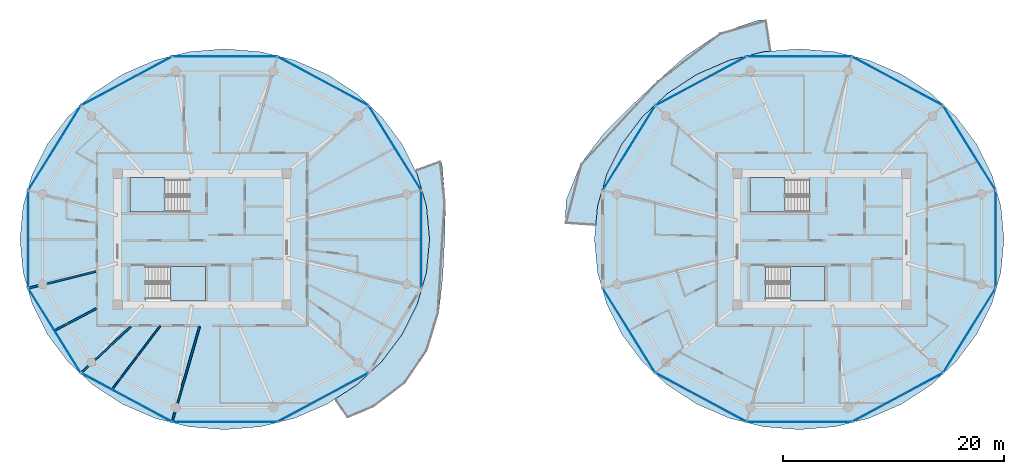
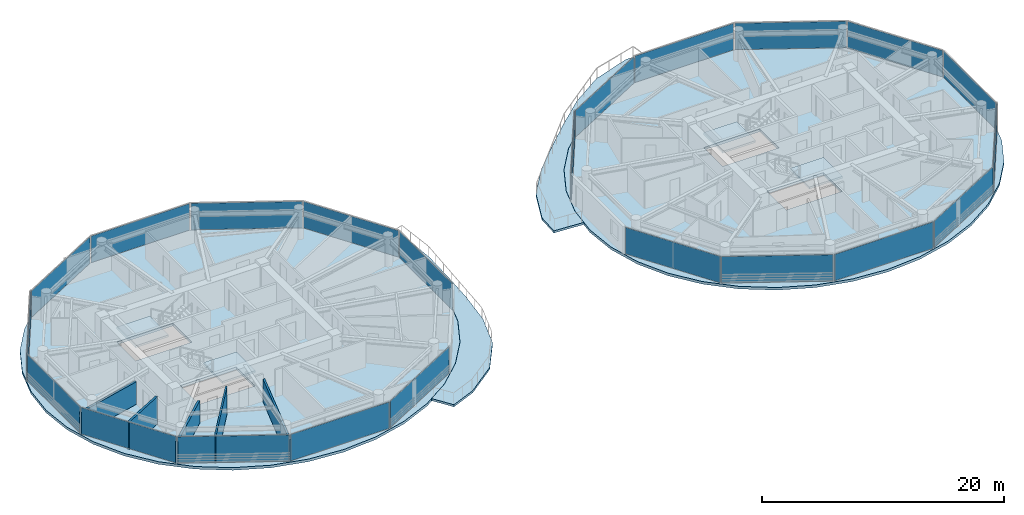
# One storey, part 12 of 22: 22 plates, 8 slabs, 5 walls, 26 elements without a shape of their own.
"""IFC4 building model written with IfcOpenShell, lengths in metres."""

from ifc_helpers import new_model, si_unit, direction, frame, frame_2d, origin, origin_2d, place, context, subcontext, project, spatial, polyline, rectangle, outline, extrude, source, transform, mapped, material, layer, layer_set, type_object, type_shapes, element, aggregate, save


model = new_model("IFC4")

# Units and contexts
model_context = context("Model", 3, precision=1e-05, world=origin(), true_north=direction((0.0, 1.0)))
body_context = subcontext(model_context, "Body", "Model", "MODEL_VIEW")
ifc_project = project(units=[si_unit("LENGTHUNIT", "METRE"), si_unit("AREAUNIT", "SQUARE_METRE"), si_unit("VOLUMEUNIT", "CUBIC_METRE"), si_unit("PLANEANGLEUNIT", "RADIAN"), si_unit("MASSUNIT", "GRAM", prefix="KILO")], contexts=[model_context])

# Site, building, storey
site_placement = place(None, origin())
site = spatial("IfcSite", under=ifc_project, at=site_placement, CompositionType="ELEMENT")
building_placement = place(site_placement, origin())
building = spatial("IfcBuilding", under=site, at=building_placement, Name="Norrkilde Senior Care Towers", CompositionType="ELEMENT")
storey_placement = place(building_placement, frame((0.0, 0.0, 120.64990234375)))
storey = spatial("IfcBuildingStorey", under=building, at=storey_placement, Name="L37", CompositionType="ELEMENT", Elevation=120.64990234375)

# Slabs
ifc_material_1 = material(Name="Concrete C50/60", Category="concrete")
ifc_layer_1 = layer(ifc_material_1, 0.215087890625)
ifc_layer_set_1 = layer_set([ifc_layer_1], Name="Concrete C50/60")
slab_type_1 = type_object("IfcSlabType", Name="Sinusoidal Balcony Ribbon Slab 215", PredefinedType="FLOOR", material=ifc_layer_set_1)
slab_1_placement = place(storey_placement, frame((0.0, 0.0, -0.21484375)))
element("IfcSlab", 1, at=slab_1_placement, inside=storey, type_object=slab_type_1, Name="L37 Drum W Swirling Senior Balcony 1", PredefinedType="FLOOR", context=body_context, shape_type="SweptSolid", body=[
    extrude(outline(polyline([(-7.634033203125, -10.02490234375), (-9.630859375, -12.993896484375), (-12.498779296875, -15.17529296875), (-14.865234375, -16.163330078125), (-16.02978515625, -14.46533203125), (-14.05517578125, -13.1796875), (-11.7744140625, -11.05908203125), (-9.92431640625, -8.6025390625), (-8.56103515625, -5.884521484375), (-7.72607421875, -2.987548828125), (-7.445068359375, 0.0), (-7.72607421875, 2.987548828125), (-8.56103515625, 5.884521484375), (-8.74609375, 6.253662109375), (-6.433349609375, 7.09423828125), (-6.316650390625, 6.76318359375), (-6.000732421875, 3.31494140625), (-6.0830078125, 0.0), (-6.2431640625, -3.268798828125), (-6.612060546875, -6.6474609375), (-7.634033203125, -10.02490234375)])), origin(), (0.0, 0.0, 1.0), 0.21484375),
])
slab_2_placement = place(storey_placement, frame((0.0, 0.0, -0.21484375)))
element("IfcSlab", 2, at=slab_2_placement, inside=storey, type_object=slab_type_1, Name="L37 Drum E Swirling Senior Balcony 1", PredefinedType="FLOOR", context=body_context, shape_type="SweptSolid", body=[
    extrude(outline(polyline([(6.20458984375, 6.80712890625), (8.32666015625, 9.5947265625), (10.734130859375, 11.998291015625), (13.17236328125, 14.31201171875), (15.771240234375, 16.6259765625), (18.78857421875, 18.62744140625), (22.268310546875, 19.800048828125), (23.010009765625, 19.808837890625), (23.427001953125, 16.999755859375), (22.736572265625, 16.943603515625), (19.620849609375, 16.16748046875), (16.697509765625, 14.89990234375), (14.05517578125, 13.1796875), (11.7744140625, 11.05908203125), (9.92431640625, 8.6025390625), (8.56103515625, 5.884521484375), (7.72607421875, 2.987548828125), (7.5595703125, 1.2177734375), (4.8046875, 1.400146484375), (4.88916015625, 3.525634765625), (6.20458984375, 6.80712890625)])), origin(), (0.0, 0.0, 1.0), 0.21484375),
])

# Stair, slab
ifc_material_2 = material(Name="Concrete C45/55", Category="concrete")
stair_type = type_object("IfcStairType", Name="Core Protected Dogleg Stair Typical 3050", PredefinedType="HALF_TURN_STAIR", material=ifc_material_2)
stair_1_placement = place(storey_placement, origin())
stair_1 = element("IfcStair", 3, at=stair_1_placement, inside=storey, type_object=stair_type, Name="L37 Protected Core Stair W1", PredefinedType="HALF_TURN_STAIR")
ifc_layer_2 = layer(ifc_material_2, 0.199951171875)
ifc_layer_set_2 = layer_set([ifc_layer_2], Name="Concrete C45/55")
slab_type_2 = type_object("IfcSlabType", Name="Stair Landing Slab 200", PredefinedType="LANDING", material=ifc_layer_set_2)
slab_3_placement = place(storey_placement, frame((0.0, 0.0, 1.3251953125)))
slab_3 = element("IfcSlab", 4, at=slab_3_placement, type_object=slab_type_2, Name="ST-W1 landing 1", PredefinedType="LANDING", context=body_context, shape_type="SweptSolid", body=[
    extrude(outline(polyline([(-31.340087890625, 5.590087890625), (-34.5, 5.590087890625), (-34.5, 2.449951171875), (-31.340087890625, 2.449951171875), (-31.340087890625, 5.590087890625)])), origin(), (0.0, 0.0, 1.0), 0.199951171875),
])
aggregate(stair_1, [slab_3])

stair_2_placement = place(storey_placement, origin())
stair_2 = element("IfcStair", 5, at=stair_2_placement, inside=storey, type_object=stair_type, Name="L37 Protected Core Stair W2", PredefinedType="HALF_TURN_STAIR")
slab_4_placement = place(storey_placement, frame((0.0, 0.0, 1.3251953125)))
slab_4 = element("IfcSlab", 6, at=slab_4_placement, type_object=slab_type_2, Name="ST-W2 landing 1", PredefinedType="LANDING", context=body_context, shape_type="SweptSolid", body=[
    extrude(outline(polyline([(-30.860107421875, -5.590087890625), (-27.699951171875, -5.590087890625), (-27.699951171875, -2.449951171875), (-30.860107421875, -2.449951171875), (-30.860107421875, -5.590087890625)])), origin(), (0.0, 0.0, 1.0), 0.199951171875),
])
aggregate(stair_2, [slab_4])

stair_3_placement = place(storey_placement, origin())
stair_3 = element("IfcStair", 7, at=stair_3_placement, inside=storey, type_object=stair_type, Name="L37 Protected Core Stair E1", PredefinedType="HALF_TURN_STAIR")
slab_5_placement = place(storey_placement, frame((0.0, 0.0, 1.3251953125)))
slab_5 = element("IfcSlab", 8, at=slab_5_placement, type_object=slab_type_2, Name="ST-E1 landing 1", PredefinedType="LANDING", context=body_context, shape_type="SweptSolid", body=[
    extrude(outline(polyline([(24.659912109375, 5.590087890625), (21.5, 5.590087890625), (21.5, 2.449951171875), (24.659912109375, 2.449951171875), (24.659912109375, 5.590087890625)])), origin(), (0.0, 0.0, 1.0), 0.199951171875),
])
aggregate(stair_3, [slab_5])

stair_4_placement = place(storey_placement, origin())
stair_4 = element("IfcStair", 9, at=stair_4_placement, inside=storey, type_object=stair_type, Name="L37 Protected Core Stair E2", PredefinedType="HALF_TURN_STAIR")
slab_6_placement = place(storey_placement, frame((0.0, 0.0, 1.3251953125)))
slab_6 = element("IfcSlab", 10, at=slab_6_placement, type_object=slab_type_2, Name="ST-E2 landing 1", PredefinedType="LANDING", context=body_context, shape_type="SweptSolid", body=[
    extrude(outline(polyline([(25.139892578125, -5.590087890625), (28.300048828125, -5.590087890625), (28.300048828125, -2.449951171875), (25.139892578125, -2.449951171875), (25.139892578125, -5.590087890625)])), origin(), (0.0, 0.0, 1.0), 0.199951171875),
])
aggregate(stair_4, [slab_6])

# Slabs
ifc_layer_3 = layer(ifc_material_1, 0.260009765625)
ifc_layer_set_3 = layer_set([ifc_layer_3], Name="Concrete C50/60")
slab_type_3 = type_object("IfcSlabType", Name="Tower Care Floor Slab 260", PredefinedType="FLOOR", material=ifc_layer_set_3)
slab_7_placement = place(storey_placement, frame((0.0, 0.0, -0.260009765625)))
element("IfcSlab", 11, at=slab_7_placement, inside=storey, type_object=slab_type_3, Name="L37 Drum W Structural Floor Slab", PredefinedType="FLOOR", context=body_context, shape_type="SweptSolid", body=[
    extrude(outline(polyline([(-8.565673828125, -5.8828125), (-9.928466796875, -8.60009765625), (-11.778076171875, -11.055908203125), (-14.058349609375, -13.176025390625), (-16.699951171875, -14.895751953125), (-19.62255859375, -16.16259765625), (-22.737548828125, -16.938720703125), (-25.949951171875, -17.199951171875), (-29.16259765625, -16.938720703125), (-32.27734375, -16.16259765625), (-35.199951171875, -14.895751953125), (-37.841552734375, -13.176025390625), (-40.121826171875, -11.055908203125), (-41.971435546875, -8.60009765625), (-43.334228515625, -5.8828125), (-44.1689453125, -2.98681640625), (-44.449951171875, 0.0), (-44.1689453125, 2.98681640625), (-43.334228515625, 5.8828125), (-41.971435546875, 8.60009765625), (-40.121826171875, 11.055908203125), (-37.841552734375, 13.176025390625), (-35.199951171875, 14.895751953125), (-32.27734375, 16.16259765625), (-29.16259765625, 16.938720703125), (-25.949951171875, 17.199951171875), (-22.737548828125, 16.938720703125), (-19.62255859375, 16.16259765625), (-16.699951171875, 14.895751953125), (-14.058349609375, 13.176025390625), (-11.778076171875, 11.055908203125), (-9.928466796875, 8.60009765625), (-8.565673828125, 5.8828125), (-7.73095703125, 2.98681640625), (-7.449951171875, 0.0), (-7.73095703125, -2.98681640625), (-8.565673828125, -5.8828125)]), holes=[polyline([(-34.48193359375, 2.468017578125), (-29.117919921875, 2.468017578125), (-29.117919921875, 5.590087890625), (-34.48193359375, 5.590087890625), (-34.48193359375, 2.468017578125)]), polyline([(-27.718017578125, -5.590087890625), (-27.718017578125, -2.468017578125), (-33.08203125, -2.468017578125), (-33.08203125, -5.590087890625), (-27.718017578125, -5.590087890625)])]), origin(), (0.0, 0.0, 1.0), 0.260009765625),
])
slab_8_placement = place(storey_placement, frame((0.0, 0.0, -0.260009765625)))
element("IfcSlab", 12, at=slab_8_placement, inside=storey, type_object=slab_type_3, Name="L37 Drum E Structural Floor Slab", PredefinedType="FLOOR", context=body_context, shape_type="SweptSolid", body=[
    extrude(outline(polyline([(43.334228515625, -5.8828125), (41.971435546875, -8.60009765625), (40.121826171875, -11.055908203125), (37.841552734375, -13.176025390625), (35.199951171875, -14.895751953125), (32.27734375, -16.16259765625), (29.16259765625, -16.938720703125), (25.949951171875, -17.199951171875), (22.737548828125, -16.938720703125), (19.62255859375, -16.16259765625), (16.699951171875, -14.895751953125), (14.058349609375, -13.176025390625), (11.778076171875, -11.055908203125), (9.928466796875, -8.60009765625), (8.565673828125, -5.8828125), (7.73095703125, -2.98681640625), (7.449951171875, 0.0), (7.73095703125, 2.98681640625), (8.565673828125, 5.8828125), (9.928466796875, 8.60009765625), (11.778076171875, 11.055908203125), (14.058349609375, 13.176025390625), (16.699951171875, 14.895751953125), (19.62255859375, 16.16259765625), (22.737548828125, 16.938720703125), (25.949951171875, 17.199951171875), (29.16259765625, 16.938720703125), (32.27734375, 16.16259765625), (35.199951171875, 14.895751953125), (37.841552734375, 13.176025390625), (40.121826171875, 11.055908203125), (41.971435546875, 8.60009765625), (43.334228515625, 5.8828125), (44.1689453125, 2.98681640625), (44.449951171875, 0.0), (44.1689453125, -2.98681640625), (43.334228515625, -5.8828125)]), holes=[polyline([(21.51806640625, 2.468017578125), (26.882080078125, 2.468017578125), (26.882080078125, 5.590087890625), (21.51806640625, 5.590087890625), (21.51806640625, 2.468017578125)]), polyline([(28.281982421875, -5.590087890625), (28.281982421875, -2.468017578125), (22.91796875, -2.468017578125), (22.91796875, -5.590087890625), (28.281982421875, -5.590087890625)])]), origin(), (0.0, 0.0, 1.0), 0.260009765625),
])

# Curtain wall, plate
ifc_material_3 = material(Name="Triple Low-E Insulated Glazing", Category="glass")
ifc_layer_4 = layer(ifc_material_3, 0.195068359375)
ifc_layer_set_4 = layer_set([ifc_layer_4], Name="Triple Low-E Insulated Glazing")
curtain_wall_type = type_object("IfcCurtainWallType", Name="CW3 Zone 2 Assisted Living Curtain Wall", PredefinedType="NOTDEFINED", material=ifc_layer_set_4)
curtain_wall_1_placement = place(storey_placement, origin())
curtain_wall_1 = element("IfcCurtainWall", 13, at=curtain_wall_1_placement, inside=storey, type_object=curtain_wall_type, Name="L37 Drum W Curtain Wall 00", PredefinedType="NOTDEFINED")
ifc_layer_5 = layer(ifc_material_3, 0.035888671875)
ifc_layer_set_5 = layer_set([ifc_layer_5], Name="Triple Low-E Insulated Glazing")
plate_type = type_object("IfcPlateType", Name="Triple Low-E Vision Curtain Panel 36", PredefinedType="CURTAIN_PANEL", material=ifc_layer_set_5)
shared_shape_1 = source(origin(), body_context, "Body", "SweptSolid", [
    extrude(rectangle(XDim=8.88427734375, YDim=0.035888671875, at=origin_2d()), origin(), (0.0, 0.0, 1.0), 2.669921875),
])
plate_1_placement = place(storey_placement, frame((-10.574951171875, 8.2490234375, 0.06005859375), z_axis=(0.0, 0.0, 1.0), x_axis=(0.527733228002, -0.849410171862, 0.0)))
plate_1 = element("IfcPlate", 14, at=plate_1_placement, type_object=plate_type, Name="CW-3 panel 1.1", PredefinedType="CURTAIN_PANEL", context=body_context, shape_type="MappedRepresentation", body=[
    mapped(shared_shape_1, transform((0.0, 0.0, 0.0), x_axis=(1.0, 0.0, 0.0), y_axis=(0.0, 1.0, 0.0), z_axis=(0.0, 0.0, 1.0), scale=1.0)),
])
aggregate(curtain_wall_1, [plate_1])

curtain_wall_2_placement = place(storey_placement, origin())
curtain_wall_2 = element("IfcCurtainWall", 15, at=curtain_wall_2_placement, inside=storey, type_object=curtain_wall_type, Name="L37 Drum W Curtain Wall 04", PredefinedType="NOTDEFINED")
plate_2_placement = place(storey_placement, frame((-41.3251953125, 8.2490234375, 0.06005859375), z_axis=(0.0, 0.0, 1.0), x_axis=(0.527733228002, 0.849410171862, 0.0)))
plate_2 = element("IfcPlate", 16, at=plate_2_placement, type_object=plate_type, Name="CW-3 panel 1.1", PredefinedType="CURTAIN_PANEL", context=body_context, shape_type="MappedRepresentation", body=[
    mapped(shared_shape_1, transform((0.0, 0.0, 0.0), x_axis=(1.0, 0.0, 0.0), y_axis=(0.0, 1.0, 0.0), z_axis=(0.0, 0.0, 1.0), scale=1.0)),
])
aggregate(curtain_wall_2, [plate_2])

curtain_wall_3_placement = place(storey_placement, origin())
curtain_wall_3 = element("IfcCurtainWall", 17, at=curtain_wall_3_placement, inside=storey, type_object=curtain_wall_type, Name="L37 Drum W Curtain Wall 06", PredefinedType="NOTDEFINED")
plate_3_placement = place(storey_placement, frame((-41.3251953125, -8.2490234375, 0.06005859375), z_axis=(0.0, 0.0, 1.0), x_axis=(-0.527733228002, 0.849410171862, 0.0)))
plate_3 = element("IfcPlate", 18, at=plate_3_placement, type_object=plate_type, Name="CW-3 panel 1.1", PredefinedType="CURTAIN_PANEL", context=body_context, shape_type="MappedRepresentation", body=[
    mapped(shared_shape_1, transform((0.0, 0.0, 0.0), x_axis=(1.0, 0.0, 0.0), y_axis=(0.0, 1.0, 0.0), z_axis=(0.0, 0.0, 1.0), scale=1.0)),
])
aggregate(curtain_wall_3, [plate_3])

curtain_wall_4_placement = place(storey_placement, origin())
curtain_wall_4 = element("IfcCurtainWall", 19, at=curtain_wall_4_placement, inside=storey, type_object=curtain_wall_type, Name="L37 Drum E Curtain Wall 00", PredefinedType="NOTDEFINED")
plate_4_placement = place(storey_placement, frame((41.3251953125, 8.2490234375, 0.06005859375), z_axis=(0.0, 0.0, 1.0), x_axis=(0.527733228002, -0.849410171862, 0.0)))
plate_4 = element("IfcPlate", 20, at=plate_4_placement, type_object=plate_type, Name="CW-3 panel 1.1", PredefinedType="CURTAIN_PANEL", context=body_context, shape_type="MappedRepresentation", body=[
    mapped(shared_shape_1, transform((0.0, 0.0, 0.0), x_axis=(1.0, 0.0, 0.0), y_axis=(0.0, 1.0, 0.0), z_axis=(0.0, 0.0, 1.0), scale=1.0)),
])
aggregate(curtain_wall_4, [plate_4])

curtain_wall_5_placement = place(storey_placement, origin())
curtain_wall_5 = element("IfcCurtainWall", 21, at=curtain_wall_5_placement, inside=storey, type_object=curtain_wall_type, Name="L37 Drum E Curtain Wall 04", PredefinedType="NOTDEFINED")
plate_5_placement = place(storey_placement, frame((10.574951171875, 8.2490234375, 0.06005859375), z_axis=(0.0, 0.0, 1.0), x_axis=(0.527733228002, 0.849410171862, 0.0)))
plate_5 = element("IfcPlate", 22, at=plate_5_placement, type_object=plate_type, Name="CW-3 panel 1.1", PredefinedType="CURTAIN_PANEL", context=body_context, shape_type="MappedRepresentation", body=[
    mapped(shared_shape_1, transform((0.0, 0.0, 0.0), x_axis=(1.0, 0.0, 0.0), y_axis=(0.0, 1.0, 0.0), z_axis=(0.0, 0.0, 1.0), scale=1.0)),
])
aggregate(curtain_wall_5, [plate_5])

curtain_wall_6_placement = place(storey_placement, origin())
curtain_wall_6 = element("IfcCurtainWall", 23, at=curtain_wall_6_placement, inside=storey, type_object=curtain_wall_type, Name="L37 Drum E Curtain Wall 06", PredefinedType="NOTDEFINED")
plate_6_placement = place(storey_placement, frame((10.574951171875, -8.2490234375, 0.06005859375), z_axis=(0.0, 0.0, 1.0), x_axis=(-0.527733228002, 0.849410171862, 0.0)))
plate_6 = element("IfcPlate", 24, at=plate_6_placement, type_object=plate_type, Name="CW-3 panel 1.1", PredefinedType="CURTAIN_PANEL", context=body_context, shape_type="MappedRepresentation", body=[
    mapped(shared_shape_1, transform((0.0, 0.0, 0.0), x_axis=(1.0, 0.0, 0.0), y_axis=(0.0, 1.0, 0.0), z_axis=(0.0, 0.0, 1.0), scale=1.0)),
])
aggregate(curtain_wall_6, [plate_6])

curtain_wall_7_placement = place(storey_placement, origin())
curtain_wall_7 = element("IfcCurtainWall", 25, at=curtain_wall_7_placement, inside=storey, type_object=curtain_wall_type, Name="L37 Drum E Curtain Wall 10", PredefinedType="NOTDEFINED")
plate_7_placement = place(storey_placement, frame((41.3251953125, -8.2490234375, 0.06005859375), z_axis=(0.0, 0.0, 1.0), x_axis=(-0.527733228002, -0.849410171862, 0.0)))
plate_7 = element("IfcPlate", 26, at=plate_7_placement, type_object=plate_type, Name="CW-3 panel 1.1", PredefinedType="CURTAIN_PANEL", context=body_context, shape_type="MappedRepresentation", body=[
    mapped(shared_shape_1, transform((0.0, 0.0, 0.0), x_axis=(1.0, 0.0, 0.0), y_axis=(0.0, 1.0, 0.0), z_axis=(0.0, 0.0, 1.0), scale=1.0)),
])
aggregate(curtain_wall_7, [plate_7])

curtain_wall_8_placement = place(storey_placement, origin())
curtain_wall_8 = element("IfcCurtainWall", 27, at=curtain_wall_8_placement, inside=storey, type_object=curtain_wall_type, Name="L37 Drum W Curtain Wall 01", PredefinedType="NOTDEFINED")
shared_shape_2 = source(origin(), body_context, "Body", "SweptSolid", [
    extrude(rectangle(XDim=9.220458984375, YDim=0.035888671875, at=origin_2d()), origin(), (0.0, 0.0, 1.0), 2.669921875),
])
plate_8_placement = place(storey_placement, frame((-17.0732421875, 14.28759765625, 0.06005859375), z_axis=(0.0, 0.0, 1.0), x_axis=(0.881186184668, -0.472769402511, 0.0)))
plate_8 = element("IfcPlate", 28, at=plate_8_placement, type_object=plate_type, Name="CW-3 panel 1.1", PredefinedType="CURTAIN_PANEL", context=body_context, shape_type="MappedRepresentation", body=[
    mapped(shared_shape_2, transform((0.0, 0.0, 0.0), x_axis=(1.0, 0.0, 0.0), y_axis=(0.0, 1.0, 0.0), z_axis=(0.0, 0.0, 1.0), scale=1.0)),
])
aggregate(curtain_wall_8, [plate_8])

curtain_wall_9_placement = place(storey_placement, origin())
curtain_wall_9 = element("IfcCurtainWall", 29, at=curtain_wall_9_placement, inside=storey, type_object=curtain_wall_type, Name="L37 Drum W Curtain Wall 03", PredefinedType="NOTDEFINED")
plate_9_placement = place(storey_placement, frame((-34.826904296875, 14.28759765625, 0.06005859375), z_axis=(0.0, 0.0, 1.0), x_axis=(0.881186184668, 0.472769402511, 0.0)))
plate_9 = element("IfcPlate", 30, at=plate_9_placement, type_object=plate_type, Name="CW-3 panel 1.1", PredefinedType="CURTAIN_PANEL", context=body_context, shape_type="MappedRepresentation", body=[
    mapped(shared_shape_2, transform((0.0, 0.0, 0.0), x_axis=(1.0, 0.0, 0.0), y_axis=(0.0, 1.0, 0.0), z_axis=(0.0, 0.0, 1.0), scale=1.0)),
])
aggregate(curtain_wall_9, [plate_9])

curtain_wall_10_placement = place(storey_placement, origin())
curtain_wall_10 = element("IfcCurtainWall", 31, at=curtain_wall_10_placement, inside=storey, type_object=curtain_wall_type, Name="L37 Drum W Curtain Wall 07", PredefinedType="NOTDEFINED")
plate_10_placement = place(storey_placement, frame((-34.826904296875, -14.28759765625, 0.06005859375), z_axis=(0.0, 0.0, 1.0), x_axis=(-0.881186184668, 0.472769402511, 0.0)))
plate_10 = element("IfcPlate", 32, at=plate_10_placement, type_object=plate_type, Name="CW-3 panel 1.1", PredefinedType="CURTAIN_PANEL", context=body_context, shape_type="MappedRepresentation", body=[
    mapped(shared_shape_2, transform((0.0, 0.0, 0.0), x_axis=(1.0, 0.0, 0.0), y_axis=(0.0, 1.0, 0.0), z_axis=(0.0, 0.0, 1.0), scale=1.0)),
])
aggregate(curtain_wall_10, [plate_10])

curtain_wall_11_placement = place(storey_placement, origin())
curtain_wall_11 = element("IfcCurtainWall", 33, at=curtain_wall_11_placement, inside=storey, type_object=curtain_wall_type, Name="L37 Drum W Curtain Wall 09", PredefinedType="NOTDEFINED")
plate_11_placement = place(storey_placement, frame((-17.0732421875, -14.28759765625, 0.06005859375), z_axis=(0.0, 0.0, 1.0), x_axis=(-0.881186184668, -0.472769402511, 0.0)))
plate_11 = element("IfcPlate", 34, at=plate_11_placement, type_object=plate_type, Name="CW-3 panel 1.1", PredefinedType="CURTAIN_PANEL", context=body_context, shape_type="MappedRepresentation", body=[
    mapped(shared_shape_2, transform((0.0, 0.0, 0.0), x_axis=(1.0, 0.0, 0.0), y_axis=(0.0, 1.0, 0.0), z_axis=(0.0, 0.0, 1.0), scale=1.0)),
])
aggregate(curtain_wall_11, [plate_11])

curtain_wall_12_placement = place(storey_placement, origin())
curtain_wall_12 = element("IfcCurtainWall", 35, at=curtain_wall_12_placement, inside=storey, type_object=curtain_wall_type, Name="L37 Drum E Curtain Wall 01", PredefinedType="NOTDEFINED")
plate_12_placement = place(storey_placement, frame((34.826904296875, 14.28759765625, 0.06005859375), z_axis=(0.0, 0.0, 1.0), x_axis=(0.881186184668, -0.472769402511, 0.0)))
plate_12 = element("IfcPlate", 36, at=plate_12_placement, type_object=plate_type, Name="CW-3 panel 1.1", PredefinedType="CURTAIN_PANEL", context=body_context, shape_type="MappedRepresentation", body=[
    mapped(shared_shape_2, transform((0.0, 0.0, 0.0), x_axis=(1.0, 0.0, 0.0), y_axis=(0.0, 1.0, 0.0), z_axis=(0.0, 0.0, 1.0), scale=1.0)),
])
aggregate(curtain_wall_12, [plate_12])

curtain_wall_13_placement = place(storey_placement, origin())
curtain_wall_13 = element("IfcCurtainWall", 37, at=curtain_wall_13_placement, inside=storey, type_object=curtain_wall_type, Name="L37 Drum E Curtain Wall 03", PredefinedType="NOTDEFINED")
plate_13_placement = place(storey_placement, frame((17.0732421875, 14.28759765625, 0.06005859375), z_axis=(0.0, 0.0, 1.0), x_axis=(0.881186184668, 0.472769402511, 0.0)))
plate_13 = element("IfcPlate", 38, at=plate_13_placement, type_object=plate_type, Name="CW-3 panel 1.1", PredefinedType="CURTAIN_PANEL", context=body_context, shape_type="MappedRepresentation", body=[
    mapped(shared_shape_2, transform((0.0, 0.0, 0.0), x_axis=(1.0, 0.0, 0.0), y_axis=(0.0, 1.0, 0.0), z_axis=(0.0, 0.0, 1.0), scale=1.0)),
])
aggregate(curtain_wall_13, [plate_13])

curtain_wall_14_placement = place(storey_placement, origin())
curtain_wall_14 = element("IfcCurtainWall", 39, at=curtain_wall_14_placement, inside=storey, type_object=curtain_wall_type, Name="L37 Drum E Curtain Wall 07", PredefinedType="NOTDEFINED")
plate_14_placement = place(storey_placement, frame((17.0732421875, -14.28759765625, 0.06005859375), z_axis=(0.0, 0.0, 1.0), x_axis=(-0.881186184668, 0.472769402511, 0.0)))
plate_14 = element("IfcPlate", 40, at=plate_14_placement, type_object=plate_type, Name="CW-3 panel 1.1", PredefinedType="CURTAIN_PANEL", context=body_context, shape_type="MappedRepresentation", body=[
    mapped(shared_shape_2, transform((0.0, 0.0, 0.0), x_axis=(1.0, 0.0, 0.0), y_axis=(0.0, 1.0, 0.0), z_axis=(0.0, 0.0, 1.0), scale=1.0)),
])
aggregate(curtain_wall_14, [plate_14])

curtain_wall_15_placement = place(storey_placement, origin())
curtain_wall_15 = element("IfcCurtainWall", 41, at=curtain_wall_15_placement, inside=storey, type_object=curtain_wall_type, Name="L37 Drum E Curtain Wall 09", PredefinedType="NOTDEFINED")
plate_15_placement = place(storey_placement, frame((34.826904296875, -14.28759765625, 0.06005859375), z_axis=(0.0, 0.0, 1.0), x_axis=(-0.881186184668, -0.472769402511, 0.0)))
plate_15 = element("IfcPlate", 42, at=plate_15_placement, type_object=plate_type, Name="CW-3 panel 1.1", PredefinedType="CURTAIN_PANEL", context=body_context, shape_type="MappedRepresentation", body=[
    mapped(shared_shape_2, transform((0.0, 0.0, 0.0), x_axis=(1.0, 0.0, 0.0), y_axis=(0.0, 1.0, 0.0), z_axis=(0.0, 0.0, 1.0), scale=1.0)),
])
aggregate(curtain_wall_15, [plate_15])

curtain_wall_16_placement = place(storey_placement, origin())
curtain_wall_16 = element("IfcCurtainWall", 43, at=curtain_wall_16_placement, inside=storey, type_object=curtain_wall_type, Name="L37 Drum W Curtain Wall 02", PredefinedType="NOTDEFINED")
shared_shape_3 = source(origin(), body_context, "Body", "SweptSolid", [
    extrude(rectangle(XDim=9.38427734375, YDim=0.035888671875, at=origin_2d()), origin(), (0.0, 0.0, 1.0), 2.669921875),
])
plate_16_placement = place(storey_placement, frame((-25.949951171875, 16.498046875, 0.06005859375), z_axis=(0.0, 0.0, 1.0), x_axis=(1.0, 0.0, 0.0)))
plate_16 = element("IfcPlate", 44, at=plate_16_placement, type_object=plate_type, Name="CW-3 panel 1.1", PredefinedType="CURTAIN_PANEL", context=body_context, shape_type="MappedRepresentation", body=[
    mapped(shared_shape_3, transform((0.0, 0.0, 0.0), x_axis=(1.0, 0.0, 0.0), y_axis=(0.0, 1.0, 0.0), z_axis=(0.0, 0.0, 1.0), scale=1.0)),
])
aggregate(curtain_wall_16, [plate_16])

curtain_wall_17_placement = place(storey_placement, origin())
curtain_wall_17 = element("IfcCurtainWall", 45, at=curtain_wall_17_placement, inside=storey, type_object=curtain_wall_type, Name="L37 Drum W Curtain Wall 08", PredefinedType="NOTDEFINED")
plate_17_placement = place(storey_placement, frame((-25.949951171875, -16.498046875, 0.06005859375), z_axis=(0.0, 0.0, 1.0), x_axis=(-1.0, 0.0, 0.0)))
plate_17 = element("IfcPlate", 46, at=plate_17_placement, type_object=plate_type, Name="CW-3 panel 1.1", PredefinedType="CURTAIN_PANEL", context=body_context, shape_type="MappedRepresentation", body=[
    mapped(shared_shape_3, transform((0.0, 0.0, 0.0), x_axis=(1.0, 0.0, 0.0), y_axis=(0.0, 1.0, 0.0), z_axis=(0.0, 0.0, 1.0), scale=1.0)),
])
aggregate(curtain_wall_17, [plate_17])

curtain_wall_18_placement = place(storey_placement, origin())
curtain_wall_18 = element("IfcCurtainWall", 47, at=curtain_wall_18_placement, inside=storey, type_object=curtain_wall_type, Name="L37 Drum E Curtain Wall 02", PredefinedType="NOTDEFINED")
plate_18_placement = place(storey_placement, frame((25.949951171875, 16.498046875, 0.06005859375), z_axis=(0.0, 0.0, 1.0), x_axis=(1.0, 0.0, 0.0)))
plate_18 = element("IfcPlate", 48, at=plate_18_placement, type_object=plate_type, Name="CW-3 panel 1.1", PredefinedType="CURTAIN_PANEL", context=body_context, shape_type="MappedRepresentation", body=[
    mapped(shared_shape_3, transform((0.0, 0.0, 0.0), x_axis=(1.0, 0.0, 0.0), y_axis=(0.0, 1.0, 0.0), z_axis=(0.0, 0.0, 1.0), scale=1.0)),
])
aggregate(curtain_wall_18, [plate_18])

curtain_wall_19_placement = place(storey_placement, origin())
curtain_wall_19 = element("IfcCurtainWall", 49, at=curtain_wall_19_placement, inside=storey, type_object=curtain_wall_type, Name="L37 Drum E Curtain Wall 08", PredefinedType="NOTDEFINED")
plate_19_placement = place(storey_placement, frame((25.949951171875, -16.498046875, 0.06005859375), z_axis=(0.0, 0.0, 1.0), x_axis=(-1.0, 0.0, 0.0)))
plate_19 = element("IfcPlate", 50, at=plate_19_placement, type_object=plate_type, Name="CW-3 panel 1.1", PredefinedType="CURTAIN_PANEL", context=body_context, shape_type="MappedRepresentation", body=[
    mapped(shared_shape_3, transform((0.0, 0.0, 0.0), x_axis=(1.0, 0.0, 0.0), y_axis=(0.0, 1.0, 0.0), z_axis=(0.0, 0.0, 1.0), scale=1.0)),
])
aggregate(curtain_wall_19, [plate_19])

curtain_wall_20_placement = place(storey_placement, origin())
curtain_wall_20 = element("IfcCurtainWall", 51, at=curtain_wall_20_placement, inside=storey, type_object=curtain_wall_type, Name="L37 Drum W Curtain Wall 05", PredefinedType="NOTDEFINED")
shared_shape_4 = source(origin(), body_context, "Body", "SweptSolid", [
    extrude(rectangle(XDim=8.711181640625, YDim=0.035888671875, at=origin_2d()), origin(), (0.0, 0.0, 1.0), 2.669921875),
])
type_shapes(plate_type, [shared_shape_1, shared_shape_2, shared_shape_3, shared_shape_4])
plate_20_placement = place(storey_placement, frame((-43.70361328125, 0.0, 0.06005859375), z_axis=(0.0, 0.0, 1.0), x_axis=(0.0, 1.0, 0.0)))
plate_20 = element("IfcPlate", 52, at=plate_20_placement, type_object=plate_type, Name="CW-3 panel 1.1", PredefinedType="CURTAIN_PANEL", context=body_context, shape_type="MappedRepresentation", body=[
    mapped(shared_shape_4, transform((0.0, 0.0, 0.0), x_axis=(1.0, 0.0, 0.0), y_axis=(0.0, 1.0, 0.0), z_axis=(0.0, 0.0, 1.0), scale=1.0)),
])
aggregate(curtain_wall_20, [plate_20])

curtain_wall_21_placement = place(storey_placement, origin())
curtain_wall_21 = element("IfcCurtainWall", 53, at=curtain_wall_21_placement, inside=storey, type_object=curtain_wall_type, Name="L37 Drum W Curtain Wall 11", PredefinedType="NOTDEFINED")
plate_21_placement = place(storey_placement, frame((-8.1962890625, 0.0, 0.06005859375), z_axis=(0.0, 0.0, 1.0), x_axis=(0.0, -1.0, 0.0)))
plate_21 = element("IfcPlate", 54, at=plate_21_placement, type_object=plate_type, Name="CW-3 panel 1.1", PredefinedType="CURTAIN_PANEL", context=body_context, shape_type="MappedRepresentation", body=[
    mapped(shared_shape_4, transform((0.0, 0.0, 0.0), x_axis=(1.0, 0.0, 0.0), y_axis=(0.0, 1.0, 0.0), z_axis=(0.0, 0.0, 1.0), scale=1.0)),
])
aggregate(curtain_wall_21, [plate_21])

curtain_wall_22_placement = place(storey_placement, origin())
curtain_wall_22 = element("IfcCurtainWall", 55, at=curtain_wall_22_placement, inside=storey, type_object=curtain_wall_type, Name="L37 Drum E Curtain Wall 11", PredefinedType="NOTDEFINED")
plate_22_placement = place(storey_placement, frame((43.70361328125, 0.0, 0.06005859375), z_axis=(0.0, 0.0, 1.0), x_axis=(0.0, -1.0, 0.0)))
plate_22 = element("IfcPlate", 56, at=plate_22_placement, type_object=plate_type, Name="CW-3 panel 1.1", PredefinedType="CURTAIN_PANEL", context=body_context, shape_type="MappedRepresentation", body=[
    mapped(shared_shape_4, transform((0.0, 0.0, 0.0), x_axis=(1.0, 0.0, 0.0), y_axis=(0.0, 1.0, 0.0), z_axis=(0.0, 0.0, 1.0), scale=1.0)),
])
aggregate(curtain_wall_22, [plate_22])

# Walls
ifc_material_4 = material(Name="Gypsum Acoustic Board")
ifc_layer_6 = layer(ifc_material_4, 0.18994140625)
ifc_layer_set_6 = layer_set([ifc_layer_6], Name="Gypsum Acoustic Board")
wall_type_1 = type_object("IfcWallType", Name="Unit Demising Acoustic Wall 190", PredefinedType="PARTITIONING", material=ifc_layer_set_6)
shared_shape_5 = source(origin(), body_context, "Body", "SweptSolid", [
    extrude(rectangle(XDim=6.186767578125, YDim=0.18994140625, at=frame_2d((3.09326171875, 0.0))), origin(), (0.0, 0.0, 1.0), 2.275146484375),
])
wall_1_placement = place(storey_placement, frame((-34.428955078125, -7.8798828125, 0.0), z_axis=(0.0, 0.0, 1.0), x_axis=(-0.732501077882, -0.680765870841, 0.0)))
element("IfcWall", 57, at=wall_1_placement, inside=storey, type_object=wall_type_1, Name="WL-INT-L37-W-DEM-07-0", PredefinedType="PARTITIONING", context=body_context, shape_type="MappedRepresentation", body=[
    mapped(shared_shape_5, transform((0.0, 0.0, 0.0), x_axis=(1.0, 0.0, 0.0), y_axis=(0.0, 1.0, 0.0), z_axis=(0.0, 0.0, 1.0), scale=1.0)),
])
ifc_layer_7 = layer(ifc_material_4, 0.139892578125)
ifc_layer_set_7 = layer_set([ifc_layer_7], Name="Gypsum Acoustic Board")
wall_type_2 = type_object("IfcWallType", Name="En-suite Wet Room Wall 140", PredefinedType="PARTITIONING", material=ifc_layer_set_7)
shared_shape_6 = source(origin(), body_context, "Body", "SweptSolid", [
    extrude(rectangle(XDim=7.24267578125, YDim=0.139892578125, at=frame_2d((3.621337890625, 0.0))), origin(), (0.0, 0.0, 1.0), 2.775146484375),
])
type_shapes(wall_type_2, [shared_shape_6])
wall_2_placement = place(storey_placement, frame((-31.773681640625, -7.830078125, 0.0), z_axis=(0.0, 0.0, 1.0), x_axis=(-0.605111472002, -0.796140757939, 0.0)))
element("IfcWall", 58, at=wall_2_placement, inside=storey, type_object=wall_type_2, Name="WL-INT-L37-W-MID-07", PredefinedType="PARTITIONING", context=body_context, shape_type="MappedRepresentation", body=[
    mapped(shared_shape_6, transform((0.0, 0.0, 0.0), x_axis=(1.0, 0.0, 0.0), y_axis=(0.0, 1.0, 0.0), z_axis=(0.0, 0.0, 1.0), scale=1.0)),
])
shared_shape_7 = source(origin(), body_context, "Body", "SweptSolid", [
    extrude(rectangle(XDim=6.33056640625, YDim=0.18994140625, at=frame_2d((3.165283203125, 0.0))), origin(), (0.0, 0.0, 1.0), 2.275146484375),
])
wall_3_placement = place(storey_placement, frame((-37.580078125, -2.89599609375, 0.0), z_axis=(0.0, 0.0, 1.0), x_axis=(-0.97036440661, -0.241646267062, 0.0)))
element("IfcWall", 59, at=wall_3_placement, inside=storey, type_object=wall_type_1, Name="WL-INT-L37-W-DEM-06-0", PredefinedType="PARTITIONING", context=body_context, shape_type="MappedRepresentation", body=[
    mapped(shared_shape_7, transform((0.0, 0.0, 0.0), x_axis=(1.0, 0.0, 0.0), y_axis=(0.0, 1.0, 0.0), z_axis=(0.0, 0.0, 1.0), scale=1.0)),
])
shared_shape_8 = source(origin(), body_context, "Body", "SweptSolid", [
    extrude(rectangle(XDim=4.309814453125, YDim=0.18994140625, at=frame_2d((2.15478515625, 0.0))), origin(), (0.0, 0.0, 1.0), 2.775146484375),
])
type_shapes(wall_type_1, [shared_shape_5, shared_shape_7, shared_shape_8])
wall_4_placement = place(storey_placement, frame((-37.530029296875, -6.24755859375, 0.0), z_axis=(0.0, 0.0, 1.0), x_axis=(-0.884459441503, -0.466617076773, 0.0)))
element("IfcWall", 60, at=wall_4_placement, inside=storey, type_object=wall_type_1, Name="WL-INT-L37-W-MID-06", PredefinedType="PARTITIONING", context=body_context, shape_type="MappedRepresentation", body=[
    mapped(shared_shape_8, transform((0.0, 0.0, 0.0), x_axis=(1.0, 0.0, 0.0), y_axis=(0.0, 1.0, 0.0), z_axis=(0.0, 0.0, 1.0), scale=1.0)),
])
ifc_layer_8 = layer(ifc_material_4, 0.1650390625)
ifc_layer_set_8 = layer_set([ifc_layer_8], Name="Gypsum Acoustic Board")
wall_type_3 = type_object("IfcWallType", Name="Corridor Rated Partition 165", PredefinedType="PARTITIONING", material=ifc_layer_set_8)
shared_shape_9 = source(origin(), body_context, "Body", "SweptSolid", [
    extrude(rectangle(XDim=8.9892578125, YDim=0.1650390625, at=frame_2d((4.49462890625, 0.0))), origin(), (0.0, 0.0, 1.0), 2.275146484375),
])
type_shapes(wall_type_3, [shared_shape_9])
wall_5_placement = place(storey_placement, frame((-28.221923828125, -7.8798828125, 0.0), z_axis=(0.0, 0.0, 1.0), x_axis=(-0.27702323008, -0.960863221274, 0.0)))
element("IfcWall", 61, at=wall_5_placement, inside=storey, type_object=wall_type_3, Name="WL-INT-L37-W-DEM-08-0", PredefinedType="PARTITIONING", context=body_context, shape_type="MappedRepresentation", body=[
    mapped(shared_shape_9, transform((0.0, 0.0, 0.0), x_axis=(1.0, 0.0, 0.0), y_axis=(0.0, 1.0, 0.0), z_axis=(0.0, 0.0, 1.0), scale=1.0)),
])

save(model, "model.ifc")
